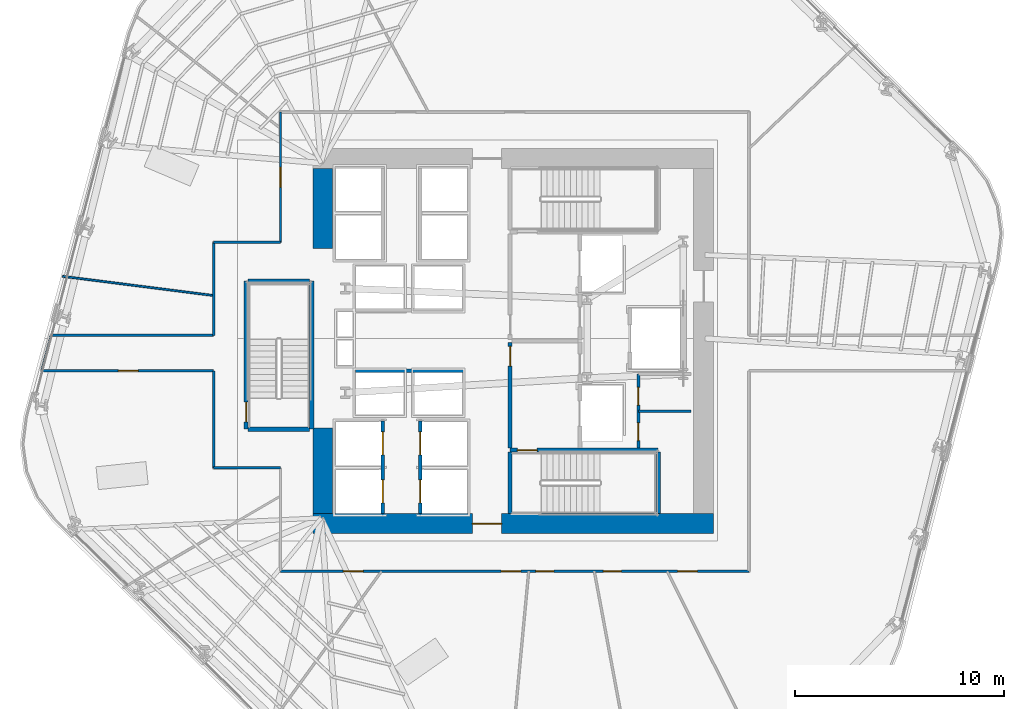
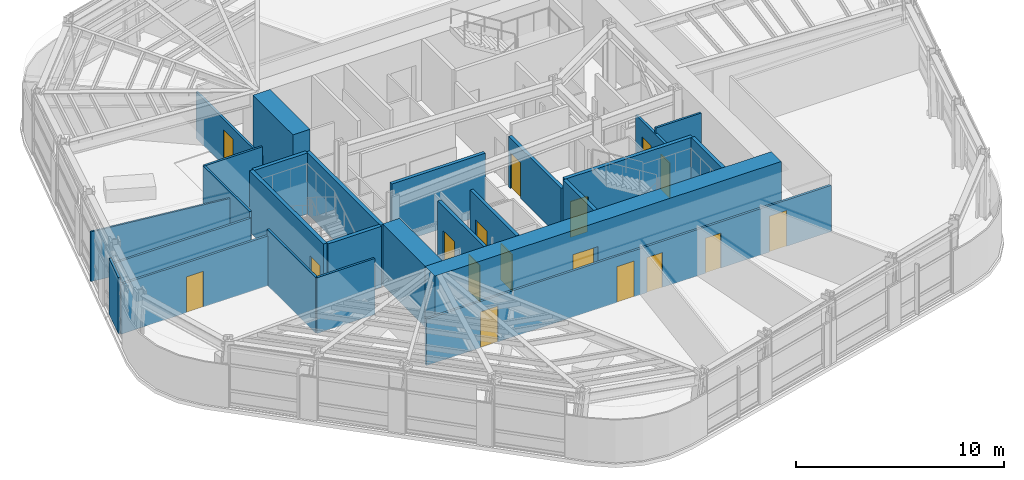
# One storey, part 8 of 16: 26 walls, 17 doors, 17 openings.
"""IFC4 building model written with IfcOpenShell, lengths in metres."""

from ifc_helpers import new_model, si_unit, direction, frame, frame_2d, origin, place, context, subcontext, project, spatial, rectangle, extrude, material, layer, layer_set, type_object, element, fill, save


model = new_model("IFC4")

# Units and contexts
model_context = context("Model", 3, precision=1e-05, world=origin(), true_north=direction((0.0, 1.0)))
body_context = subcontext(model_context, "Body", "Model", "MODEL_VIEW")
ifc_project = project(units=[si_unit("LENGTHUNIT", "METRE"), si_unit("AREAUNIT", "SQUARE_METRE"), si_unit("VOLUMEUNIT", "CUBIC_METRE"), si_unit("PLANEANGLEUNIT", "RADIAN"), si_unit("MASSUNIT", "GRAM", prefix="KILO")], contexts=[model_context])

# Site, building, storey
site_placement = place(None, origin())
site = spatial("IfcSite", under=ifc_project, at=site_placement, CompositionType="ELEMENT")
building_placement = place(site_placement, origin())
building = spatial("IfcBuilding", under=site, at=building_placement, Name="Valkerne Bourse Tower", CompositionType="ELEMENT")
storey_placement = place(building_placement, frame((0.0, 0.0, 89.60009765625)))
storey = spatial("IfcBuildingStorey", under=building, at=storey_placement, Name="L22", CompositionType="ELEMENT", Elevation=89.60009765625)

# Wall, opening, door
ifc_material_1 = material(Name="Concrete C70/85", Category="concrete")
ifc_layer_1 = layer(ifc_material_1, 0.949951171875)
ifc_layer_set_1 = layer_set([ifc_layer_1], Name="Concrete C70/85")
wall_type_1 = type_object("IfcWallType", Name="W-CORE-950", PredefinedType="SHEAR", material=ifc_layer_set_1)
wall_1_placement = place(storey_placement, frame((37.199951171875, 18.125, 0.0), z_axis=(0.0, 0.0, 1.0), x_axis=(1.0, 0.0, 0.0)))
wall_1 = element("IfcWall", 1, at=wall_1_placement, inside=storey, type_object=wall_type_1, Name="L22 Core Shear Wall SOUTH", PredefinedType="SHEAR", context=body_context, shape_type="SweptSolid", body=[
    extrude(rectangle(XDim=19.199951171875, YDim=0.949951171875, at=frame_2d((9.60009765625, 0.0))), origin(), (0.0, 0.0, 1.0), 3.579833984375),
])
opening_1_placement = place(wall_1_placement, frame((7.64990234375, 0.0, 0.0)))
opening_1 = element("IfcOpeningElement", 2, at=opening_1_placement, cuts=wall_1, Name="Opening D-PL-1400", PredefinedType="OPENING", context=body_context, shape_type="SweptSolid", body=[
    extrude(rectangle(XDim=1.39990234375, YDim=2.14990234375, at=frame_2d((0.699951171875, 1.074951171875))), frame((0.0, 0.48486328125, 0.0), z_axis=(0.0, -1.0, 0.0), x_axis=(1.0, 0.0, 0.0)), (0.0, 0.0, 1.0), 0.969970703125),
])
ifc_material_2 = material(Name="Galvanised Painted Steel", Category="steel")
door_type_1 = type_object("IfcDoorType", Name="DR-PLT-1400", OperationType="DOUBLE_DOOR_SINGLE_SWING", PredefinedType="DOOR", material=ifc_material_2)
door_1_placement = place(opening_1_placement, origin())
door_1 = element("IfcDoor", 3, at=door_1_placement, inside=storey, type_object=door_type_1, Name="L22 South Passenger Lift Hall Fire Door", OperationType="DOUBLE_DOOR_SINGLE_SWING", OverallHeight=2.14990234375, OverallWidth=1.39990234375, PredefinedType="DOOR", context=body_context, shape_type="SweptSolid", body=[
    extrude(rectangle(XDim=1.39990234375, YDim=2.14990234375, at=frame_2d((0.699951171875, 1.074951171875))), frame((0.0, 0.02490234375, 0.0), z_axis=(0.0, -1.0, 0.0), x_axis=(1.0, 0.0, 0.0)), (0.0, 0.0, 1.0), 0.050048828125),
])
fill(opening_1, door_1)

# Walls
wall_2_placement = place(storey_placement, frame((37.675048828125, 18.60009765625, 0.0), z_axis=(0.0, 0.0, 1.0), x_axis=(0.0, 1.0, 0.0)))
element("IfcWall", 4, at=wall_2_placement, inside=storey, type_object=wall_type_1, Name="L22 Core Shear Wall WEST-S", PredefinedType="SHEAR", context=body_context, shape_type="SweptSolid", body=[
    extrude(rectangle(XDim=4.099853515625, YDim=0.949951171875, at=frame_2d((2.0498046875, 0.0))), origin(), (0.0, 0.0, 1.0), 3.579833984375),
])
wall_3_placement = place(storey_placement, frame((37.675048828125, 31.300048828125, 0.0), z_axis=(0.0, 0.0, 1.0), x_axis=(0.0, 1.0, 0.0)))
element("IfcWall", 5, at=wall_3_placement, inside=storey, type_object=wall_type_1, Name="L22 Core Shear Wall WEST-N", PredefinedType="SHEAR", context=body_context, shape_type="SweptSolid", body=[
    extrude(rectangle(XDim=3.849853515625, YDim=0.949951171875, at=frame_2d((1.9248046875, 0.0))), origin(), (0.0, 0.0, 1.0), 3.579833984375),
])
ifc_material_3 = material(Name="Gypsum Board Steel-Stud Partition", Category="steel")
ifc_layer_2 = layer(ifc_material_3, 0.117919921875)
ifc_layer_set_2 = layer_set([ifc_layer_2], Name="Gypsum Board Steel-Stud Partition")
wall_type_2 = type_object("IfcWallType", Name="W-CORR-140", PredefinedType="PARTITIONING", material=ifc_layer_set_2)
wall_4_placement = place(storey_placement, frame((52.800048828125, 23.510009765625, 0.0), z_axis=(0.0, 0.0, 1.0), x_axis=(1.0, 0.0, 0.0)))
element("IfcWall", 6, at=wall_4_placement, inside=storey, type_object=wall_type_2, Name="L22 Core SE Dual Divider", PredefinedType="PARTITIONING", context=body_context, shape_type="SweptSolid", body=[
    extrude(rectangle(XDim=2.52001953125, YDim=0.117919921875, at=frame_2d((1.260009765625, 0.0))), origin(), (0.0, 0.0, 1.0), 3.27978515625),
])

# Wall, openings, doors
wall_5_placement = place(storey_placement, frame((58.10009765625, 15.85009765625, 0.0), z_axis=(0.0, 0.0, 1.0), x_axis=(-1.0, 0.0, 0.0)))
wall_5 = element("IfcWall", 7, at=wall_5_placement, inside=storey, type_object=wall_type_2, Name="L22 Corridor Enclosure Wall", PredefinedType="PARTITIONING", context=body_context, shape_type="SweptSolid", body=[
    extrude(rectangle(XDim=22.4501953125, YDim=0.117919921875, at=frame_2d((11.22509765625, 0.0))), origin(), (0.0, 0.0, 1.0), 2.71142578125),
])
opening_2_placement = place(wall_5_placement, frame((6.114990234375, 0.0, 0.0)))
opening_2 = element("IfcOpeningElement", 8, at=opening_2_placement, cuts=wall_5, Name="Opening D-WC-900", PredefinedType="OPENING", context=body_context, shape_type="SweptSolid", body=[
    extrude(rectangle(XDim=0.860107421875, YDim=2.050048828125, at=frame_2d((0.43017578125, 1.02490234375))), frame((0.0, 0.06884765625, 0.0), z_axis=(0.0, -1.0, 0.0), x_axis=(1.0, 0.0, 0.0)), (0.0, 0.0, 1.0), 0.137939453125),
])
opening_3_placement = place(wall_5_placement, frame((9.35498046875, 0.0, 0.0)))
opening_3 = element("IfcOpeningElement", 9, at=opening_3_placement, cuts=wall_5, Name="Opening D-WC-900", PredefinedType="OPENING", context=body_context, shape_type="SweptSolid", body=[
    extrude(rectangle(XDim=0.860107421875, YDim=2.050048828125, at=frame_2d((0.43017578125, 1.02490234375))), frame((0.0, 0.06884765625, 0.0), z_axis=(0.0, -1.0, 0.0), x_axis=(1.0, 0.0, 0.0)), (0.0, 0.0, 1.0), 0.137939453125),
])
opening_4_placement = place(wall_5_placement, frame((18.489990234375, 0.0, 0.0)))
opening_4 = element("IfcOpeningElement", 10, at=opening_4_placement, cuts=wall_5, Name="Opening D-OF-950", PredefinedType="OPENING", context=body_context, shape_type="SweptSolid", body=[
    extrude(rectangle(XDim=0.949951171875, YDim=2.10009765625, at=frame_2d((0.47509765625, 1.050048828125))), frame((0.0, 0.06884765625, 0.0), z_axis=(0.0, -1.0, 0.0), x_axis=(1.0, 0.0, 0.0)), (0.0, 0.0, 1.0), 0.137939453125),
])
opening_5_placement = place(wall_5_placement, frame((10.929931640625, 0.0, 0.0)))
opening_5 = element("IfcOpeningElement", 11, at=opening_5_placement, cuts=wall_5, Name="Opening D-OF-950", PredefinedType="OPENING", context=body_context, shape_type="SweptSolid", body=[
    extrude(rectangle(XDim=0.949951171875, YDim=2.10009765625, at=frame_2d((0.47509765625, 1.050048828125))), frame((0.0, 0.06884765625, 0.0), z_axis=(0.0, -1.0, 0.0), x_axis=(1.0, 0.0, 0.0)), (0.0, 0.0, 1.0), 0.137939453125),
])
opening_6_placement = place(wall_5_placement, frame((2.469970703125, 0.0, 0.0)))
opening_6 = element("IfcOpeningElement", 12, at=opening_6_placement, cuts=wall_5, Name="Opening D-OF-950", PredefinedType="OPENING", context=body_context, shape_type="SweptSolid", body=[
    extrude(rectangle(XDim=0.949951171875, YDim=2.10009765625, at=frame_2d((0.47509765625, 1.050048828125))), frame((0.0, 0.06884765625, 0.0), z_axis=(0.0, -1.0, 0.0), x_axis=(1.0, 0.0, 0.0)), (0.0, 0.0, 1.0), 0.137939453125),
])
ifc_material_4 = material(Name="Architectural White Oak Timber", Category="wood")
door_type_2 = type_object("IfcDoorType", Name="DR-OFF-950", OperationType="NOTDEFINED", PredefinedType="DOOR", material=ifc_material_4)
door_2_placement = place(opening_4_placement, origin())
door_2 = element("IfcDoor", 13, at=door_2_placement, inside=storey, type_object=door_type_2, Name="L22 L22 Hospitality Catering Kitchen 3 Door", OperationType="SINGLE_SWING_LEFT", OverallHeight=2.10009765625, OverallWidth=0.949951171875, PredefinedType="DOOR", context=body_context, shape_type="SweptSolid", body=[
    extrude(rectangle(XDim=0.949951171875, YDim=2.10009765625, at=frame_2d((0.47509765625, 1.050048828125))), frame((0.0, 0.02490234375, 0.0), z_axis=(0.0, -1.0, 0.0), x_axis=(1.0, 0.0, 0.0)), (0.0, 0.0, 1.0), 0.050048828125),
])
fill(opening_4, door_2)
door_3_placement = place(opening_5_placement, origin())
door_3 = element("IfcDoor", 14, at=door_3_placement, inside=storey, type_object=door_type_2, Name="L22 L22 Executive Economics Study Room 7 Door", OperationType="SINGLE_SWING_RIGHT", OverallHeight=2.10009765625, OverallWidth=0.949951171875, PredefinedType="DOOR", context=body_context, shape_type="SweptSolid", body=[
    extrude(rectangle(XDim=0.949951171875, YDim=2.10009765625, at=frame_2d((0.47509765625, 1.050048828125))), frame((0.0, 0.02490234375, 0.0), z_axis=(0.0, -1.0, 0.0), x_axis=(1.0, 0.0, 0.0)), (0.0, 0.0, 1.0), 0.050048828125),
])
fill(opening_5, door_3)
door_4_placement = place(opening_6_placement, origin())
door_4 = element("IfcDoor", 15, at=door_4_placement, inside=storey, type_object=door_type_2, Name="L22 L22 Occupational Wellness Clinic 9 Door", OperationType="SINGLE_SWING_RIGHT", OverallHeight=2.10009765625, OverallWidth=0.949951171875, PredefinedType="DOOR", context=body_context, shape_type="SweptSolid", body=[
    extrude(rectangle(XDim=0.949951171875, YDim=2.10009765625, at=frame_2d((0.47509765625, 1.050048828125))), frame((0.0, 0.02490234375, 0.0), z_axis=(0.0, -1.0, 0.0), x_axis=(1.0, 0.0, 0.0)), (0.0, 0.0, 1.0), 0.050048828125),
])
fill(opening_6, door_4)
door_type_3 = type_object("IfcDoorType", Name="DR-WC-900", OperationType="NOTDEFINED", PredefinedType="DOOR", material=ifc_material_4)
door_5_placement = place(opening_2_placement, origin())
door_5 = element("IfcDoor", 16, at=door_5_placement, inside=storey, type_object=door_type_3, Name="L22 L22 Men Bathroom WC 1 Door", OperationType="SINGLE_SWING_LEFT", OverallHeight=2.050048828125, OverallWidth=0.860107421875, PredefinedType="DOOR", context=body_context, shape_type="SweptSolid", body=[
    extrude(rectangle(XDim=0.860107421875, YDim=2.050048828125, at=frame_2d((0.43017578125, 1.02490234375))), frame((0.0, 0.02490234375, 0.0), z_axis=(0.0, -1.0, 0.0), x_axis=(1.0, 0.0, 0.0)), (0.0, 0.0, 1.0), 0.050048828125),
])
fill(opening_2, door_5)
door_6_placement = place(opening_3_placement, origin())
door_6 = element("IfcDoor", 17, at=door_6_placement, inside=storey, type_object=door_type_3, Name="L22 L22 Women Restroom & Shower WC 2 Door", OperationType="SINGLE_SWING_LEFT", OverallHeight=2.050048828125, OverallWidth=0.860107421875, PredefinedType="DOOR", context=body_context, shape_type="SweptSolid", body=[
    extrude(rectangle(XDim=0.860107421875, YDim=2.050048828125, at=frame_2d((0.43017578125, 1.02490234375))), frame((0.0, 0.02490234375, 0.0), z_axis=(0.0, -1.0, 0.0), x_axis=(1.0, 0.0, 0.0)), (0.0, 0.0, 1.0), 0.050048828125),
])
fill(opening_3, door_6)

# Walls
wall_6_placement = place(storey_placement, frame((35.64990234375, 20.800048828125, 0.0), z_axis=(0.0, 0.0, 1.0), x_axis=(-1.0, 0.0, 0.0)))
element("IfcWall", 18, at=wall_6_placement, inside=storey, type_object=wall_type_2, Name="L22 Corridor Enclosure Wall", PredefinedType="PARTITIONING", context=body_context, shape_type="SweptSolid", body=[
    extrude(rectangle(XDim=3.199951171875, YDim=0.117919921875, at=frame_2d((1.60009765625, 0.0))), origin(), (0.0, 0.0, 1.0), 3.27978515625),
])
wall_7_placement = place(storey_placement, frame((32.449951171875, 20.800048828125, 0.0), z_axis=(0.0, 0.0, 1.0), x_axis=(0.0, 1.0, 0.0)))
element("IfcWall", 19, at=wall_7_placement, inside=storey, type_object=wall_type_2, Name="L22 Corridor Enclosure Wall", PredefinedType="PARTITIONING", context=body_context, shape_type="SweptSolid", body=[
    extrude(rectangle(XDim=4.64990234375, YDim=0.117919921875, at=frame_2d((2.324951171875, 0.0))), origin(), (0.0, 0.0, 1.0), 3.27978515625),
])

# Wall, opening, door
wall_8_placement = place(storey_placement, frame((32.449951171875, 25.449951171875, 0.0), z_axis=(0.0, 0.0, 1.0), x_axis=(-1.0, 0.0, 0.0)))
wall_8 = element("IfcWall", 20, at=wall_8_placement, inside=storey, type_object=wall_type_2, Name="L22 Corridor Enclosure Wall", PredefinedType="PARTITIONING", context=body_context, shape_type="SweptSolid", body=[
    extrude(rectangle(XDim=8.197265625, YDim=0.117919921875, at=frame_2d((4.0986328125, 0.0))), origin(), (0.0, 0.0, 1.0), 2.92236328125),
])
opening_7_placement = place(wall_8_placement, frame((3.62353515625, 0.0, 0.0)))
opening_7 = element("IfcOpeningElement", 21, at=opening_7_placement, cuts=wall_8, Name="Opening D-OF-950", PredefinedType="OPENING", context=body_context, shape_type="SweptSolid", body=[
    extrude(rectangle(XDim=0.949951171875, YDim=2.10009765625, at=frame_2d((0.47509765625, 1.050048828125))), frame((0.0, 0.06884765625, 0.0), z_axis=(0.0, -1.0, 0.0), x_axis=(1.0, 0.0, 0.0)), (0.0, 0.0, 1.0), 0.137939453125),
])
door_7_placement = place(opening_7_placement, origin())
door_7 = element("IfcDoor", 22, at=door_7_placement, inside=storey, type_object=door_type_2, Name="L22 L22 Exchange Security Control Room 6 Door", OperationType="SINGLE_SWING_RIGHT", OverallHeight=2.10009765625, OverallWidth=0.949951171875, PredefinedType="DOOR", context=body_context, shape_type="SweptSolid", body=[
    extrude(rectangle(XDim=0.949951171875, YDim=2.10009765625, at=frame_2d((0.47509765625, 1.050048828125))), frame((0.0, 0.02490234375, 0.0), z_axis=(0.0, -1.0, 0.0), x_axis=(1.0, 0.0, 0.0)), (0.0, 0.0, 1.0), 0.050048828125),
])
fill(opening_7, door_7)

# Walls
wall_9_placement = place(storey_placement, frame((24.219482421875, 25.493408203125, 0.0), z_axis=(0.0, 0.0, 1.0), x_axis=(0.258814360252, 0.965927081579, 0.0)))
element("IfcWall", 23, at=wall_9_placement, inside=storey, type_object=wall_type_2, Name="L22 Corridor Enclosure Wall", PredefinedType="PARTITIONING", context=body_context, shape_type="SweptSolid", body=[
    extrude(rectangle(XDim=1.71484375, YDim=0.117919921875, at=frame_2d((0.857421875, 0.0))), origin(), (0.0, 0.0, 1.0), 3.27978515625),
])
wall_10_placement = place(storey_placement, frame((24.663330078125, 27.14990234375, 0.0), z_axis=(0.0, 0.0, 1.0), x_axis=(1.0, 0.0, 0.0)))
element("IfcWall", 24, at=wall_10_placement, inside=storey, type_object=wall_type_2, Name="L22 Corridor Enclosure Wall", PredefinedType="PARTITIONING", context=body_context, shape_type="SweptSolid", body=[
    extrude(rectangle(XDim=7.78662109375, YDim=0.117919921875, at=frame_2d((3.893310546875, 0.0))), origin(), (0.0, 0.0, 1.0), 2.92236328125),
])
wall_11_placement = place(storey_placement, frame((32.449951171875, 27.14990234375, 0.0), z_axis=(0.0, 0.0, 1.0), x_axis=(0.0, 1.0, 0.0)))
element("IfcWall", 25, at=wall_11_placement, inside=storey, type_object=wall_type_2, Name="L22 Corridor Enclosure Wall", PredefinedType="PARTITIONING", context=body_context, shape_type="SweptSolid", body=[
    extrude(rectangle(XDim=4.4501953125, YDim=0.117919921875, at=frame_2d((2.22509765625, 0.0))), origin(), (0.0, 0.0, 1.0), 3.27978515625),
])
wall_12_placement = place(storey_placement, frame((32.449951171875, 31.60009765625, 0.0), z_axis=(0.0, 0.0, 1.0), x_axis=(1.0, 0.0, 0.0)))
element("IfcWall", 26, at=wall_12_placement, inside=storey, type_object=wall_type_2, Name="L22 Corridor Enclosure Wall", PredefinedType="PARTITIONING", context=body_context, shape_type="SweptSolid", body=[
    extrude(rectangle(XDim=3.199951171875, YDim=0.117919921875, at=frame_2d((1.60009765625, 0.0))), origin(), (0.0, 0.0, 1.0), 3.27978515625),
])

# Wall, opening, door
wall_13_placement = place(storey_placement, frame((35.64990234375, 31.60009765625, 0.0), z_axis=(0.0, 0.0, 1.0), x_axis=(0.0, 1.0, 0.0)))
wall_13 = element("IfcWall", 27, at=wall_13_placement, inside=storey, type_object=wall_type_2, Name="L22 Corridor Enclosure Wall", PredefinedType="PARTITIONING", context=body_context, shape_type="SweptSolid", body=[
    extrude(rectangle(XDim=6.25, YDim=0.117919921875, at=frame_2d((3.125, 0.0))), origin(), (0.0, 0.0, 1.0), 2.71142578125),
])
opening_8_placement = place(wall_13_placement, frame((2.64990234375, 0.0, 0.0)))
opening_8 = element("IfcOpeningElement", 28, at=opening_8_placement, cuts=wall_13, Name="Opening D-OF-950", PredefinedType="OPENING", context=body_context, shape_type="SweptSolid", body=[
    extrude(rectangle(XDim=0.949951171875, YDim=2.10009765625, at=frame_2d((0.47509765625, 1.050048828125))), frame((0.0, 0.06884765625, 0.0), z_axis=(0.0, -1.0, 0.0), x_axis=(1.0, 0.0, 0.0)), (0.0, 0.0, 1.0), 0.137939453125),
])
door_8_placement = place(opening_8_placement, origin())
door_8 = element("IfcDoor", 29, at=door_8_placement, inside=storey, type_object=door_type_2, Name="L22 L22 Exchange Security Control Room 5 Door", OperationType="SINGLE_SWING_LEFT", OverallHeight=2.10009765625, OverallWidth=0.949951171875, PredefinedType="DOOR", context=body_context, shape_type="SweptSolid", body=[
    extrude(rectangle(XDim=0.949951171875, YDim=2.10009765625, at=frame_2d((0.47509765625, 1.050048828125))), frame((0.0, 0.02490234375, 0.0), z_axis=(0.0, -1.0, 0.0), x_axis=(1.0, 0.0, 0.0)), (0.0, 0.0, 1.0), 0.050048828125),
])
fill(opening_8, door_8)

ifc_material_5 = material(Name="Gypsum Fire-Rated Shaftwall", Category="gypsum")
ifc_layer_3 = layer(ifc_material_5, 0.179931640625)
ifc_layer_set_3 = layer_set([ifc_layer_3], Name="Gypsum Fire-Rated Shaftwall")
wall_type_3 = type_object("IfcWallType", Name="W-FSAE-180", PredefinedType="PARTITIONING", material=ifc_layer_set_3)
wall_14_placement = place(storey_placement, frame((46.64990234375, 21.75, 0.0), z_axis=(0.0, 0.0, 1.0), x_axis=(0.0, 1.0, 0.0)))
wall_14 = element("IfcWall", 30, at=wall_14_placement, inside=storey, type_object=wall_type_3, Name="L22 FSAE-1 Lobby West Fire Wall", PredefinedType="PARTITIONING", context=body_context, shape_type="SweptSolid", body=[
    extrude(rectangle(XDim=5.050048828125, YDim=0.179931640625, at=frame_2d((2.52490234375, 0.0))), origin(), (0.0, 0.0, 1.0), 2.957763671875),
])
opening_9_placement = place(wall_14_placement, frame((3.919921875, 0.0, 0.0)))
opening_9 = element("IfcOpeningElement", 31, at=opening_9_placement, cuts=wall_14, Name="Opening D-FS-950", PredefinedType="OPENING", context=body_context, shape_type="SweptSolid", body=[
    extrude(rectangle(XDim=0.949951171875, YDim=2.10009765625, at=frame_2d((0.47509765625, 1.050048828125))), frame((0.0, 0.099853515625, 0.0), z_axis=(0.0, -1.0, 0.0), x_axis=(1.0, 0.0, 0.0)), (0.0, 0.0, 1.0), 0.199951171875),
])
door_type_4 = type_object("IfcDoorType", Name="DR-FSAE-950", OperationType="NOTDEFINED", PredefinedType="DOOR", material=ifc_material_2)
door_9_placement = place(opening_9_placement, origin())
door_9 = element("IfcDoor", 32, at=door_9_placement, inside=storey, type_object=door_type_4, Name="L22 FSAE-1 Hall Link Fire Door", OperationType="SINGLE_SWING_RIGHT", OverallHeight=2.10009765625, OverallWidth=0.949951171875, PredefinedType="DOOR", context=body_context, shape_type="SweptSolid", body=[
    extrude(rectangle(XDim=0.949951171875, YDim=2.10009765625, at=frame_2d((0.47509765625, 1.050048828125))), frame((0.0, 0.02490234375, 0.0), z_axis=(0.0, -1.0, 0.0), x_axis=(1.0, 0.0, 0.0)), (0.0, 0.0, 1.0), 0.050048828125),
])
fill(opening_9, door_9)

# Wall, openings, doors
ifc_material_6 = material(Name="CMU Blockwork Masonry 200mm", Category="masonry")
ifc_layer_4 = layer(ifc_material_6, 0.179931640625)
ifc_layer_set_4 = layer_set([ifc_layer_4], Name="CMU Blockwork Masonry 200mm")
wall_type_4 = type_object("IfcWallType", Name="W-LFT-180", PredefinedType="SOLIDWALL", material=ifc_layer_set_4)
wall_15_placement = place(storey_placement, frame((40.550048828125, 18.6201171875, 0.0), z_axis=(0.0, 0.0, 1.0), x_axis=(0.0, 1.0, 0.0)))
wall_15 = element("IfcWall", 33, at=wall_15_placement, inside=storey, type_object=wall_type_4, Name="L22 Low-Zone West Cars Front Wall", PredefinedType="SOLIDWALL", context=body_context, shape_type="SweptSolid", body=[
    extrude(rectangle(XDim=4.429931640625, YDim=0.179931640625, at=frame_2d((2.21484375, 0.0))), origin(), (0.0, 0.0, 1.0), 3.579833984375),
])
opening_10_placement = place(wall_15_placement, frame((0.5, 0.0, 0.0)))
opening_10 = element("IfcOpeningElement", 34, at=opening_10_placement, cuts=wall_15, Name="Opening LD-1100", PredefinedType="OPENING", context=body_context, shape_type="SweptSolid", body=[
    extrude(rectangle(XDim=1.10009765625, YDim=2.14990234375, at=frame_2d((0.550048828125, 1.074951171875))), frame((0.0, 0.099853515625, 0.0), z_axis=(0.0, -1.0, 0.0), x_axis=(1.0, 0.0, 0.0)), (0.0, 0.0, 1.0), 0.199951171875),
])
opening_11_placement = place(wall_15_placement, frame((2.800048828125, 0.0, 0.0)))
opening_11 = element("IfcOpeningElement", 35, at=opening_11_placement, cuts=wall_15, Name="Opening LD-1100", PredefinedType="OPENING", context=body_context, shape_type="SweptSolid", body=[
    extrude(rectangle(XDim=1.10009765625, YDim=2.14990234375, at=frame_2d((0.550048828125, 1.074951171875))), frame((0.0, 0.099853515625, 0.0), z_axis=(0.0, -1.0, 0.0), x_axis=(1.0, 0.0, 0.0)), (0.0, 0.0, 1.0), 0.199951171875),
])
ifc_material_7 = material(Name="Stainless Steel AISI 316", Category="steel")
door_type_5 = type_object("IfcDoorType", Name="DR-LIFT-1100", OperationType="DOUBLE_DOOR_SLIDING", PredefinedType="DOOR", material=ifc_material_7)
door_10_placement = place(opening_10_placement, origin())
door_10 = element("IfcDoor", 36, at=door_10_placement, inside=storey, type_object=door_type_5, Name="L22 Passenger Lift PL-L1 Sliding Landing Door", OperationType="DOUBLE_DOOR_SLIDING", OverallHeight=2.14990234375, OverallWidth=1.10009765625, PredefinedType="DOOR", context=body_context, shape_type="SweptSolid", body=[
    extrude(rectangle(XDim=1.10009765625, YDim=2.14990234375, at=frame_2d((0.550048828125, 1.074951171875))), frame((0.0, 0.02490234375, 0.0), z_axis=(0.0, -1.0, 0.0), x_axis=(1.0, 0.0, 0.0)), (0.0, 0.0, 1.0), 0.050048828125),
])
fill(opening_10, door_10)
door_11_placement = place(opening_11_placement, origin())
door_11 = element("IfcDoor", 37, at=door_11_placement, inside=storey, type_object=door_type_5, Name="L22 Passenger Lift PL-L2 Sliding Landing Door", OperationType="DOUBLE_DOOR_SLIDING", OverallHeight=2.14990234375, OverallWidth=1.10009765625, PredefinedType="DOOR", context=body_context, shape_type="SweptSolid", body=[
    extrude(rectangle(XDim=1.10009765625, YDim=2.14990234375, at=frame_2d((0.550048828125, 1.074951171875))), frame((0.0, 0.02490234375, 0.0), z_axis=(0.0, -1.0, 0.0), x_axis=(1.0, 0.0, 0.0)), (0.0, 0.0, 1.0), 0.050048828125),
])
fill(opening_11, door_11)

wall_16_placement = place(storey_placement, frame((42.35009765625, 18.6201171875, 0.0), z_axis=(0.0, 0.0, 1.0), x_axis=(0.0, 1.0, 0.0)))
wall_16 = element("IfcWall", 38, at=wall_16_placement, inside=storey, type_object=wall_type_4, Name="L22 Low-Zone East Cars Front Wall", PredefinedType="SOLIDWALL", context=body_context, shape_type="SweptSolid", body=[
    extrude(rectangle(XDim=4.429931640625, YDim=0.179931640625, at=frame_2d((2.21484375, 0.0))), origin(), (0.0, 0.0, 1.0), 3.579833984375),
])
opening_12_placement = place(wall_16_placement, frame((0.5, 0.0, 0.0)))
opening_12 = element("IfcOpeningElement", 39, at=opening_12_placement, cuts=wall_16, Name="Opening LD-1100", PredefinedType="OPENING", context=body_context, shape_type="SweptSolid", body=[
    extrude(rectangle(XDim=1.10009765625, YDim=2.14990234375, at=frame_2d((0.550048828125, 1.074951171875))), frame((0.0, 0.099853515625, 0.0), z_axis=(0.0, -1.0, 0.0), x_axis=(1.0, 0.0, 0.0)), (0.0, 0.0, 1.0), 0.199951171875),
])
opening_13_placement = place(wall_16_placement, frame((2.800048828125, 0.0, 0.0)))
opening_13 = element("IfcOpeningElement", 40, at=opening_13_placement, cuts=wall_16, Name="Opening LD-1100", PredefinedType="OPENING", context=body_context, shape_type="SweptSolid", body=[
    extrude(rectangle(XDim=1.10009765625, YDim=2.14990234375, at=frame_2d((0.550048828125, 1.074951171875))), frame((0.0, 0.099853515625, 0.0), z_axis=(0.0, -1.0, 0.0), x_axis=(1.0, 0.0, 0.0)), (0.0, 0.0, 1.0), 0.199951171875),
])
door_12_placement = place(opening_12_placement, origin())
door_12 = element("IfcDoor", 41, at=door_12_placement, inside=storey, type_object=door_type_5, Name="L22 Passenger Lift PL-L3 Sliding Landing Door", OperationType="DOUBLE_DOOR_SLIDING", OverallHeight=2.14990234375, OverallWidth=1.10009765625, PredefinedType="DOOR", context=body_context, shape_type="SweptSolid", body=[
    extrude(rectangle(XDim=1.10009765625, YDim=2.14990234375, at=frame_2d((0.550048828125, 1.074951171875))), frame((0.0, 0.02490234375, 0.0), z_axis=(0.0, -1.0, 0.0), x_axis=(1.0, 0.0, 0.0)), (0.0, 0.0, 1.0), 0.050048828125),
])
fill(opening_12, door_12)
door_13_placement = place(opening_13_placement, origin())
door_13 = element("IfcDoor", 42, at=door_13_placement, inside=storey, type_object=door_type_5, Name="L22 Passenger Lift PL-L4 Sliding Landing Door", OperationType="DOUBLE_DOOR_SLIDING", OverallHeight=2.14990234375, OverallWidth=1.10009765625, PredefinedType="DOOR", context=body_context, shape_type="SweptSolid", body=[
    extrude(rectangle(XDim=1.10009765625, YDim=2.14990234375, at=frame_2d((0.550048828125, 1.074951171875))), frame((0.0, 0.02490234375, 0.0), z_axis=(0.0, -1.0, 0.0), x_axis=(1.0, 0.0, 0.0)), (0.0, 0.0, 1.0), 0.050048828125),
])
fill(opening_13, door_13)

# Walls
wall_17_placement = place(storey_placement, frame((39.25, 25.449951171875, 0.0), z_axis=(0.0, 0.0, 1.0), x_axis=(1.0, 0.0, 0.0)))
element("IfcWall", 43, at=wall_17_placement, inside=storey, type_object=wall_type_4, Name="L22 High-Zone South Cars Front Wall", PredefinedType="SOLIDWALL", context=body_context, shape_type="SweptSolid", body=[
    extrude(rectangle(XDim=5.199951171875, YDim=0.179931640625, at=frame_2d((2.60009765625, 0.0))), origin(), (0.0, 0.0, 1.0), 3.579833984375),
])
ifc_layer_5 = layer(ifc_material_3, 0.092041015625)
ifc_layer_set_5 = layer_set([ifc_layer_5], Name="Gypsum Board Steel-Stud Partition")
wall_type_5 = type_object("IfcWallType", Name="W-PART-115", PredefinedType="PARTITIONING", material=ifc_layer_set_5)
wall_18_placement = place(storey_placement, frame((32.445068359375, 29.056640625, 0.0), z_axis=(0.0, 0.0, 1.0), x_axis=(-0.991992807967, 0.126294374149, 0.0)))
element("IfcWall", 44, at=wall_18_placement, inside=storey, type_object=wall_type_5, Name="L22 Suite Partition P07", PredefinedType="PARTITIONING", context=body_context, shape_type="SweptSolid", body=[
    extrude(rectangle(XDim=7.29931640625, YDim=0.092041015625, at=frame_2d((3.649658203125, 0.0))), origin(), (0.0, 0.0, 1.0), 2.92236328125),
])

# Wall, opening, door
ifc_material_8 = material(Name="Concrete C40/50", Category="concrete")
ifc_layer_6 = layer(ifc_material_8, 0.199951171875)
ifc_layer_set_6 = layer_set([ifc_layer_6], Name="Concrete C40/50")
wall_type_6 = type_object("IfcWallType", Name="W-SHF-200", PredefinedType="SHEAR", material=ifc_layer_set_6)
wall_19_placement = place(storey_placement, frame((46.64990234375, 21.64990234375, 0.0), z_axis=(0.0, 0.0, 1.0), x_axis=(1.0, 0.0, 0.0)))
wall_19 = element("IfcWall", 45, at=wall_19_placement, inside=storey, type_object=wall_type_6, Name="L22 Exit Stair ST-1 Structural Shaft Wall North", PredefinedType="SHEAR", context=body_context, shape_type="SweptSolid", body=[
    extrude(rectangle(XDim=7.10009765625, YDim=0.199951171875, at=frame_2d((3.550048828125, 0.0))), origin(), (0.0, 0.0, 1.0), 3.579833984375),
])
opening_14_placement = place(wall_19_placement, frame((0.35009765625, 0.0, 0.0)))
opening_14 = element("IfcOpeningElement", 46, at=opening_14_placement, cuts=wall_19, Name="Opening D-ST-950", PredefinedType="OPENING", context=body_context, shape_type="SweptSolid", body=[
    extrude(rectangle(XDim=0.949951171875, YDim=2.10009765625, at=frame_2d((0.47509765625, 1.050048828125))), frame((0.0, 0.10986328125, 0.0), z_axis=(0.0, -1.0, 0.0), x_axis=(1.0, 0.0, 0.0)), (0.0, 0.0, 1.0), 0.219970703125),
])
door_type_6 = type_object("IfcDoorType", Name="DR-STAIR-950", OperationType="NOTDEFINED", PredefinedType="DOOR", material=ifc_material_2)
door_14_placement = place(opening_14_placement, origin())
door_14 = element("IfcDoor", 47, at=door_14_placement, inside=storey, type_object=door_type_6, Name="L22 Exit Stair ST-1 Door", OperationType="SINGLE_SWING_RIGHT", OverallHeight=2.10009765625, OverallWidth=0.949951171875, PredefinedType="DOOR", context=body_context, shape_type="SweptSolid", body=[
    extrude(rectangle(XDim=0.949951171875, YDim=2.10009765625, at=frame_2d((0.47509765625, 1.050048828125))), frame((0.0, 0.02490234375, 0.0), z_axis=(0.0, -1.0, 0.0), x_axis=(1.0, 0.0, 0.0)), (0.0, 0.0, 1.0), 0.050048828125),
])
fill(opening_14, door_14)

# Walls
for number, where, z_axis, x_axis, name in (
    (48, (46.64990234375, 18.60009765625, 0.0), (0.0, 0.0, 1.0), (0.0, 1.0, 0.0), "L22 Exit Stair ST-1 Structural Shaft Wall West"),
    (49, (53.75, 18.60009765625, 0.0), (0.0, 0.0, 1.0), (0.0, 1.0, 0.0), "L22 Exit Stair ST-1 Structural Shaft Wall East"),
):
    element("IfcWall", number, at=place(storey_placement, frame(where, z_axis=z_axis, x_axis=x_axis)), inside=storey, type_object=wall_type_6, Name=name, PredefinedType="SHEAR", context=body_context, shape_type="SweptSolid", body=[
        extrude(rectangle(XDim=2.949951171875, YDim=0.199951171875, at=frame_2d((1.47509765625, 0.0))), origin(), (0.0, 0.0, 1.0), 3.579833984375),
    ])

# Wall, opening, door
wall_20_placement = place(storey_placement, frame((34.0, 22.64990234375, 0.0), z_axis=(0.0, 0.0, 1.0), x_axis=(0.0, 1.0, 0.0)))
wall_20 = element("IfcWall", 50, at=wall_20_placement, inside=storey, type_object=wall_type_6, Name="L22 Exit Stair ST-3 Structural Shaft Wall West", PredefinedType="SHEAR", context=body_context, shape_type="SweptSolid", body=[
    extrude(rectangle(XDim=7.10009765625, YDim=0.199951171875, at=frame_2d((3.550048828125, 0.0))), origin(), (0.0, 0.0, 1.0), 3.579833984375),
])
opening_15_placement = place(wall_20_placement, frame((0.35009765625, 0.0, 0.0)))
opening_15 = element("IfcOpeningElement", 51, at=opening_15_placement, cuts=wall_20, Name="Opening D-ST-950", PredefinedType="OPENING", context=body_context, shape_type="SweptSolid", body=[
    extrude(rectangle(XDim=0.949951171875, YDim=2.10009765625, at=frame_2d((0.47509765625, 1.050048828125))), frame((0.0, 0.10986328125, 0.0), z_axis=(0.0, -1.0, 0.0), x_axis=(1.0, 0.0, 0.0)), (0.0, 0.0, 1.0), 0.219970703125),
])
door_15_placement = place(opening_15_placement, origin())
door_15 = element("IfcDoor", 52, at=door_15_placement, inside=storey, type_object=door_type_6, Name="L22 Exit Stair ST-3 Door", OperationType="SINGLE_SWING_RIGHT", OverallHeight=2.10009765625, OverallWidth=0.949951171875, PredefinedType="DOOR", context=body_context, shape_type="SweptSolid", body=[
    extrude(rectangle(XDim=0.949951171875, YDim=2.10009765625, at=frame_2d((0.47509765625, 1.050048828125))), frame((0.0, 0.02490234375, 0.0), z_axis=(0.0, -1.0, 0.0), x_axis=(1.0, 0.0, 0.0)), (0.0, 0.0, 1.0), 0.050048828125),
])
fill(opening_15, door_15)

# Walls
for number, where, z_axis, x_axis, name in (
    (53, (34.10009765625, 22.64990234375, 0.0), (0.0, 0.0, 1.0), (1.0, 0.0, 0.0), "L22 Exit Stair ST-3 Structural Shaft Wall South"),
    (54, (34.10009765625, 29.75, 0.0), (0.0, 0.0, 1.0), (1.0, 0.0, 0.0), "L22 Exit Stair ST-3 Structural Shaft Wall North"),
):
    element("IfcWall", number, at=place(storey_placement, frame(where, z_axis=z_axis, x_axis=x_axis)), inside=storey, type_object=wall_type_6, Name=name, PredefinedType="SHEAR", context=body_context, shape_type="SweptSolid", body=[
        extrude(rectangle(XDim=2.949951171875, YDim=0.199951171875, at=frame_2d((1.47509765625, 0.0))), origin(), (0.0, 0.0, 1.0), 3.579833984375),
    ])
wall_21_placement = place(storey_placement, frame((37.14990234375, 22.64990234375, 0.0), z_axis=(0.0, 0.0, 1.0), x_axis=(0.0, 1.0, 0.0)))
element("IfcWall", 55, at=wall_21_placement, inside=storey, type_object=wall_type_6, Name="L22 Exit Stair ST-3 Structural Shaft Wall East", PredefinedType="SHEAR", context=body_context, shape_type="SweptSolid", body=[
    extrude(rectangle(XDim=7.10009765625, YDim=0.199951171875, at=frame_2d((3.550048828125, 0.0))), origin(), (0.0, 0.0, 1.0), 3.579833984375),
])

# Wall, openings, doors
ifc_material_9 = material(Name="Moisture-Resistant Gypsum Partition", Category="gypsum")
ifc_layer_7 = layer(ifc_material_9, 0.139892578125)
ifc_layer_set_7 = layer_set([ifc_layer_7], Name="Moisture-Resistant Gypsum Partition")
wall_type_7 = type_object("IfcWallType", Name="W-WET-140", PredefinedType="PARTITIONING", material=ifc_layer_set_7)
wall_22_placement = place(storey_placement, frame((52.800048828125, 21.75, 0.0), z_axis=(0.0, 0.0, 1.0), x_axis=(0.0, 1.0, 0.0)))
wall_22 = element("IfcWall", 56, at=wall_22_placement, inside=storey, type_object=wall_type_7, Name="L22 Core SE Dual West Wall", PredefinedType="PARTITIONING", context=body_context, shape_type="SweptSolid", body=[
    extrude(rectangle(XDim=3.550048828125, YDim=0.139892578125, at=frame_2d((1.77490234375, 0.0))), origin(), (0.0, 0.0, 1.0), 2.957763671875),
])
opening_16_placement = place(wall_22_placement, frame((0.35009765625, 0.0, 0.0)))
opening_16 = element("IfcOpeningElement", 57, at=opening_16_placement, cuts=wall_22, Name="Opening D-WC-900", PredefinedType="OPENING", context=body_context, shape_type="SweptSolid", body=[
    extrude(rectangle(XDim=0.860107421875, YDim=2.050048828125, at=frame_2d((0.43017578125, 1.02490234375))), frame((0.0, 0.079833984375, 0.0), z_axis=(0.0, -1.0, 0.0), x_axis=(1.0, 0.0, 0.0)), (0.0, 0.0, 1.0), 0.159912109375),
])
opening_17_placement = place(wall_22_placement, frame((2.050048828125, 0.0, 0.0)))
opening_17 = element("IfcOpeningElement", 58, at=opening_17_placement, cuts=wall_22, Name="Opening D-WC-900", PredefinedType="OPENING", context=body_context, shape_type="SweptSolid", body=[
    extrude(rectangle(XDim=0.860107421875, YDim=2.050048828125, at=frame_2d((0.43017578125, 1.02490234375))), frame((0.0, 0.079833984375, 0.0), z_axis=(0.0, -1.0, 0.0), x_axis=(1.0, 0.0, 0.0)), (0.0, 0.0, 1.0), 0.159912109375),
])
door_16_placement = place(opening_16_placement, origin())
door_16 = element("IfcDoor", 59, at=door_16_placement, inside=storey, type_object=door_type_3, Name="L22 Linen Store Door", OperationType="SINGLE_SWING_LEFT", OverallHeight=2.050048828125, OverallWidth=0.860107421875, PredefinedType="DOOR", context=body_context, shape_type="SweptSolid", body=[
    extrude(rectangle(XDim=0.860107421875, YDim=2.050048828125, at=frame_2d((0.43017578125, 1.02490234375))), frame((0.0, 0.02490234375, 0.0), z_axis=(0.0, -1.0, 0.0), x_axis=(1.0, 0.0, 0.0)), (0.0, 0.0, 1.0), 0.050048828125),
])
fill(opening_16, door_16)
door_17_placement = place(opening_17_placement, origin())
door_17 = element("IfcDoor", 60, at=door_17_placement, inside=storey, type_object=door_type_3, Name="L22 Espresso Kitchen Door", OperationType="SINGLE_SWING_LEFT", OverallHeight=2.050048828125, OverallWidth=0.860107421875, PredefinedType="DOOR", context=body_context, shape_type="SweptSolid", body=[
    extrude(rectangle(XDim=0.860107421875, YDim=2.050048828125, at=frame_2d((0.43017578125, 1.02490234375))), frame((0.0, 0.02490234375, 0.0), z_axis=(0.0, -1.0, 0.0), x_axis=(1.0, 0.0, 0.0)), (0.0, 0.0, 1.0), 0.050048828125),
])
fill(opening_17, door_17)

save(model, "model.ifc")
